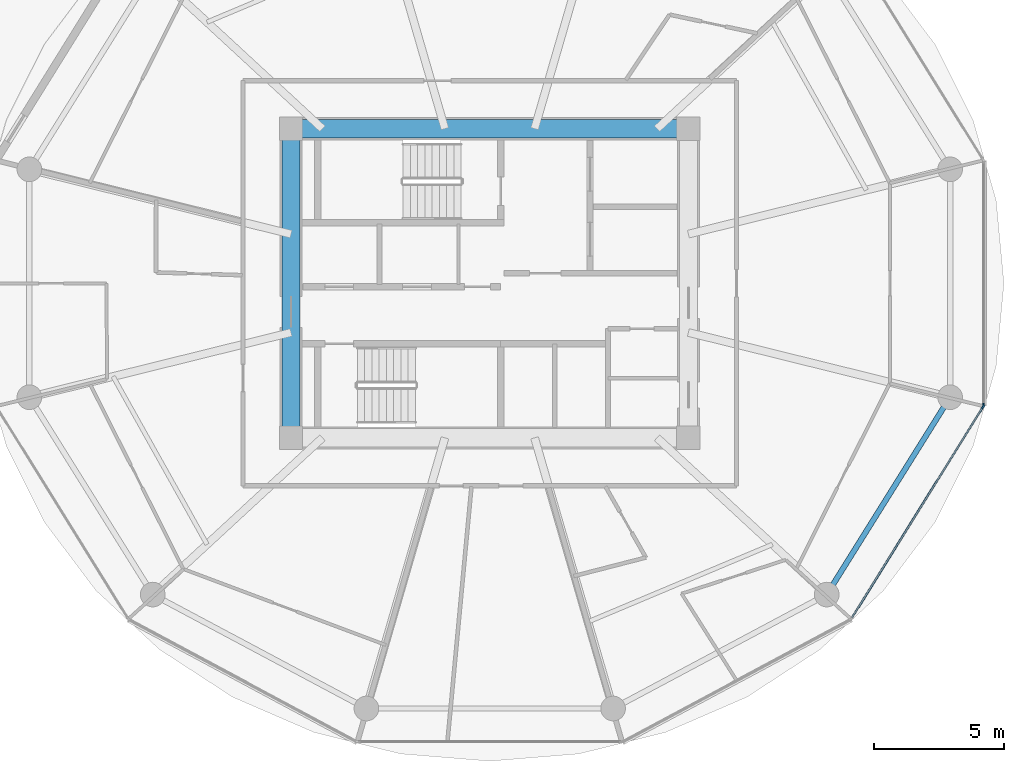
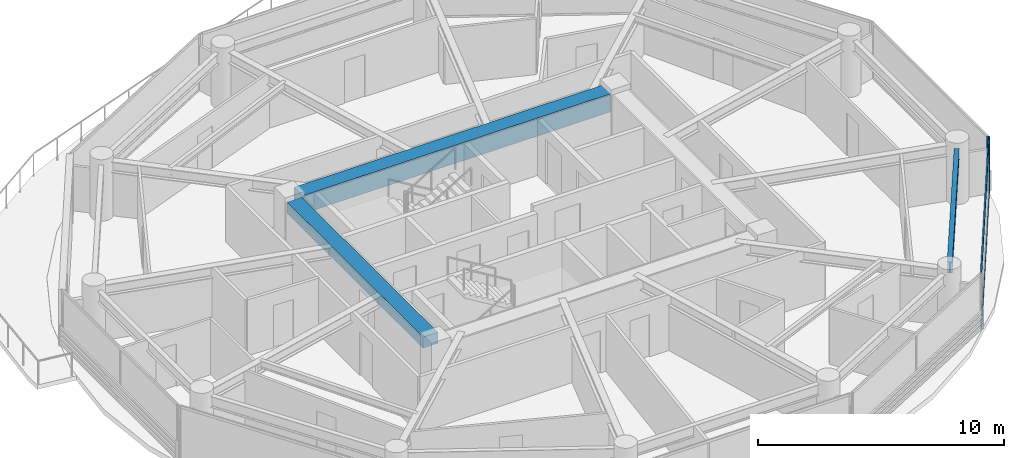
# One storey, part 11 of 27: 4 members, 3 beams, 2 elements without a shape of their own.
"""IFC4 building model written with IfcOpenShell, lengths in metres."""

from ifc_helpers import new_model, si_unit, direction, frame, origin, origin_2d, place, context, subcontext, project, spatial, rectangle, i_section, extrude, source, transform, mapped, material, layer, layer_set, material_profile, profile_set, type_object, type_shapes, element, aggregate, save


model = new_model("IFC4")

# Units and contexts
model_context = context("Model", 3, precision=1e-05, world=origin(), true_north=direction((0.0, 1.0)))
body_context = subcontext(model_context, "Body", "Model", "MODEL_VIEW")
ifc_project = project(units=[si_unit("LENGTHUNIT", "METRE"), si_unit("AREAUNIT", "SQUARE_METRE"), si_unit("VOLUMEUNIT", "CUBIC_METRE"), si_unit("PLANEANGLEUNIT", "RADIAN"), si_unit("MASSUNIT", "GRAM", prefix="KILO")], contexts=[model_context])

# Site, building, storey
site_placement = place(None, origin())
site = spatial("IfcSite", under=ifc_project, at=site_placement, CompositionType="ELEMENT")
building_placement = place(site_placement, origin())
building = spatial("IfcBuilding", under=site, at=building_placement, Name="Norrkilde Senior Care Towers", CompositionType="ELEMENT")
storey_placement = place(building_placement, frame((0.0, 0.0, 58.199951171875)))
storey = spatial("IfcBuildingStorey", under=building, at=storey_placement, Name="L17", CompositionType="ELEMENT", Elevation=58.199951171875)

# Beams
ifc_material_1 = material(Name="Concrete C60/75", Category="concrete")
ifc_material_profile_1 = material_profile(ifc_material_1, rectangle(XDim=0.699951171875, YDim=0.89990234375, at=origin_2d()), Name="RC BM 700x900")
ifc_profile_set_1 = profile_set([ifc_material_profile_1], Name="Concrete C60/75")
beam_type_1 = type_object("IfcBeamType", Name="Core Coupling Girder 700x900", PredefinedType="USERDEFINED", material=ifc_profile_set_1)
shared_shape_1 = source(origin(), body_context, "Body", "SweptSolid", [
    extrude(rectangle(XDim=0.699951171875, YDim=0.89990234375, at=origin_2d()), origin(), (0.0, 0.0, 1.0), 14.43994140625),
])
type_shapes(beam_type_1, [shared_shape_1])
beam_1_placement = place(storey_placement, frame((20.780029296875, 5.949951171875, 2.340087890625), z_axis=(1.0, 0.0, 0.0), x_axis=(0.0, 1.0, 0.0)))
element("IfcBeam", 1, at=beam_1_placement, inside=storey, type_object=beam_type_1, Name="L17 Core E N Coupling Girder", ObjectType="GIRDER", PredefinedType="USERDEFINED", context=body_context, shape_type="MappedRepresentation", body=[
    mapped(shared_shape_1, transform((0.0, 0.0, 0.0), x_axis=(1.0, 0.0, 0.0), y_axis=(0.0, 1.0, 0.0), z_axis=(0.0, 0.0, 1.0), scale=1.0)),
])
ifc_material_profile_2 = material_profile(ifc_material_1, rectangle(XDim=0.699951171875, YDim=0.550048828125, at=origin_2d()), Name="RC BM 700x550")
ifc_profile_set_2 = profile_set([ifc_material_profile_2], Name="Concrete C60/75")
beam_type_2 = type_object("IfcBeamType", Name="Core Portal Coupling Beam 700x550", PredefinedType="USERDEFINED", material=ifc_profile_set_2)
shared_shape_2 = source(origin(), body_context, "Body", "SweptSolid", [
    extrude(rectangle(XDim=0.699951171875, YDim=0.550048828125, at=origin_2d()), origin(), (0.0, 0.0, 1.0), 11.0400390625),
])
type_shapes(beam_type_2, [shared_shape_2])
beam_2_placement = place(storey_placement, frame((20.35009765625, -5.52001953125, 2.51513671875), z_axis=(0.0, 1.0, 0.0), x_axis=(-1.0, 0.0, 0.0)))
element("IfcBeam", 2, at=beam_2_placement, inside=storey, type_object=beam_type_2, Name="L17 Core E W Coupling Girder", ObjectType="GIRDER", PredefinedType="USERDEFINED", context=body_context, shape_type="MappedRepresentation", body=[
    mapped(shared_shape_2, transform((0.0, 0.0, 0.0), x_axis=(1.0, 0.0, 0.0), y_axis=(0.0, 1.0, 0.0), z_axis=(0.0, 0.0, 1.0), scale=1.0)),
])
ifc_material_2 = material(Name="Steel S355", Category="steel")
ifc_material_profile_3 = material_profile(ifc_material_2, i_section(OverallWidth=0.2099609375, OverallDepth=0.550048828125, WebThickness=0.010986328125, FlangeThickness=0.01708984375, FilletRadius=0.02392578125, at=origin_2d()), Name="IPE 550")
ifc_profile_set_3 = profile_set([ifc_material_profile_3], Name="Steel S355")
beam_type_3 = type_object("IfcBeamType", Name="Perimeter Ring Spandrel Z1 IPE550", PredefinedType="SPANDREL", material=ifc_profile_set_3)
shared_shape_3 = source(origin(), body_context, "Body", "SweptSolid", [
    extrude(i_section(OverallWidth=0.2099609375, OverallDepth=0.550048828125, WebThickness=0.010986328125, FlangeThickness=0.01708984375, FilletRadius=0.02392578125, at=origin_2d()), origin(), (0.0, 0.0, 1.0), 8.090576171875),
])
type_shapes(beam_type_3, [shared_shape_3])
beam_3_placement = place(storey_placement, frame((41.2060546875, -11.61669921875, 2.51513671875), z_axis=(0.530004364821, 0.84799491347, 0.0), x_axis=(-0.84799491347, 0.530004364821, 0.0)))
element("IfcBeam", 3, at=beam_3_placement, inside=storey, type_object=beam_type_3, Name="L17 Drum E Perimeter Spandrel 11", PredefinedType="SPANDREL", context=body_context, shape_type="MappedRepresentation", body=[
    mapped(shared_shape_3, transform((0.0, 0.0, 0.0), x_axis=(1.0, 0.0, 0.0), y_axis=(0.0, 1.0, 0.0), z_axis=(0.0, 0.0, 1.0), scale=1.0)),
])

# Curtain wall, member
ifc_material_3 = material(Name="Triple Low-E Insulated Glazing", Category="glass")
ifc_layer = layer(ifc_material_3, 0.199951171875)
ifc_layer_set = layer_set([ifc_layer], Name="Triple Low-E Insulated Glazing")
curtain_wall_type = type_object("IfcCurtainWallType", Name="CW2 Zone 1 Memory Care Curtain Wall", PredefinedType="NOTDEFINED", material=ifc_layer_set)
curtain_wall_1_placement = place(storey_placement, origin())
curtain_wall_1 = element("IfcCurtainWall", 4, at=curtain_wall_1_placement, inside=storey, type_object=curtain_wall_type, Name="L17 Drum E Curtain Wall 10", PredefinedType="NOTDEFINED")
ifc_material_4 = material(Name="Anodised Aluminium", Category="aluminium")
ifc_material_profile_4 = material_profile(ifc_material_4, rectangle(XDim=0.06494140625, YDim=0.159912109375, at=origin_2d()), Name="ALU MULL 65x160")
ifc_profile_set_4 = profile_set([ifc_material_profile_4], Name="Anodised Aluminium")
member_type_1 = type_object("IfcMemberType", Name="Curtain Wall Mullion Z1-Z2 65x160", PredefinedType="MULLION", material=ifc_profile_set_4)
shared_shape_4 = source(origin(), body_context, "Body", "SweptSolid", [
    extrude(rectangle(XDim=0.06494140625, YDim=0.159912109375, at=origin_2d()), origin(), (0.0, 0.0, 1.0), 2.7900390625),
])
type_shapes(member_type_1, [shared_shape_4])
member_1_placement = place(storey_placement, frame((46.9921875, -4.7587890625, 0.0), z_axis=(0.0, 0.0, 1.0), x_axis=(0.849305943117, -0.527900951871, 0.0)))
member_1 = element("IfcMember", 5, at=member_1_placement, type_object=member_type_1, Name="CW-2 mullion 1", PredefinedType="MULLION", context=body_context, shape_type="MappedRepresentation", body=[
    mapped(shared_shape_4, transform((0.0, 0.0, 0.0), x_axis=(1.0, 0.0, 0.0), y_axis=(0.0, 1.0, 0.0), z_axis=(0.0, 0.0, 1.0), scale=1.0)),
])

curtain_wall_2_placement = place(storey_placement, origin())
curtain_wall_2 = element("IfcCurtainWall", 6, at=curtain_wall_2_placement, inside=storey, type_object=curtain_wall_type, Name="L17 Drum E Curtain Wall 11", PredefinedType="NOTDEFINED")
member_2_placement = place(storey_placement, frame((47.009521484375, -4.69873046875, 0.0), z_axis=(0.0, 0.0, 1.0), x_axis=(1.0, 0.0, 0.0)))
member_2 = element("IfcMember", 7, at=member_2_placement, type_object=member_type_1, Name="CW-2 mullion 2", PredefinedType="MULLION", context=body_context, shape_type="MappedRepresentation", body=[
    mapped(shared_shape_4, transform((0.0, 0.0, 0.0), x_axis=(1.0, 0.0, 0.0), y_axis=(0.0, 1.0, 0.0), z_axis=(0.0, 0.0, 1.0), scale=1.0)),
])
aggregate(curtain_wall_2, [member_2])

# Member
ifc_material_profile_5 = material_profile(ifc_material_4, rectangle(XDim=0.06005859375, YDim=0.1201171875, at=origin_2d()), Name="ALU TRAN 60x120")
ifc_profile_set_5 = profile_set([ifc_material_profile_5], Name="Anodised Aluminium")
member_type_2 = type_object("IfcMemberType", Name="Curtain Wall Transom Typical 60x120", PredefinedType="USERDEFINED", material=ifc_profile_set_5)
shared_shape_5 = source(origin(), body_context, "Body", "SweptSolid", [
    extrude(rectangle(XDim=0.06005859375, YDim=0.1201171875, at=origin_2d()), origin(), (0.0, 0.0, 1.0), 9.5185546875),
])
type_shapes(member_type_2, [shared_shape_5])
member_3_placement = place(storey_placement, frame((46.97509765625, -4.786376953125, 0.030029296875), z_axis=(-0.527901620669, -0.849305527413, 0.0), x_axis=(0.849305527413, -0.527901620669, 0.0)))
member_3 = element("IfcMember", 8, at=member_3_placement, type_object=member_type_2, Name="CW-2 transom 1.1", ObjectType="TRANSOM", PredefinedType="USERDEFINED", context=body_context, shape_type="MappedRepresentation", body=[
    mapped(shared_shape_5, transform((0.0, 0.0, 0.0), x_axis=(1.0, 0.0, 0.0), y_axis=(0.0, 1.0, 0.0), z_axis=(0.0, 0.0, 1.0), scale=1.0)),
])

member_4_placement = place(storey_placement, frame((46.97509765625, -4.786376953125, 2.760009765625), z_axis=(-0.527901620669, -0.849305527413, 0.0), x_axis=(0.849305527413, -0.527901620669, 0.0)))
member_4 = element("IfcMember", 9, at=member_4_placement, type_object=member_type_2, Name="CW-2 transom 1.2", ObjectType="TRANSOM", PredefinedType="USERDEFINED", context=body_context, shape_type="MappedRepresentation", body=[
    mapped(shared_shape_5, transform((0.0, 0.0, 0.0), x_axis=(1.0, 0.0, 0.0), y_axis=(0.0, 1.0, 0.0), z_axis=(0.0, 0.0, 1.0), scale=1.0)),
])

aggregate(curtain_wall_1, [member_1, member_3, member_4])

save(model, "model.ifc")
